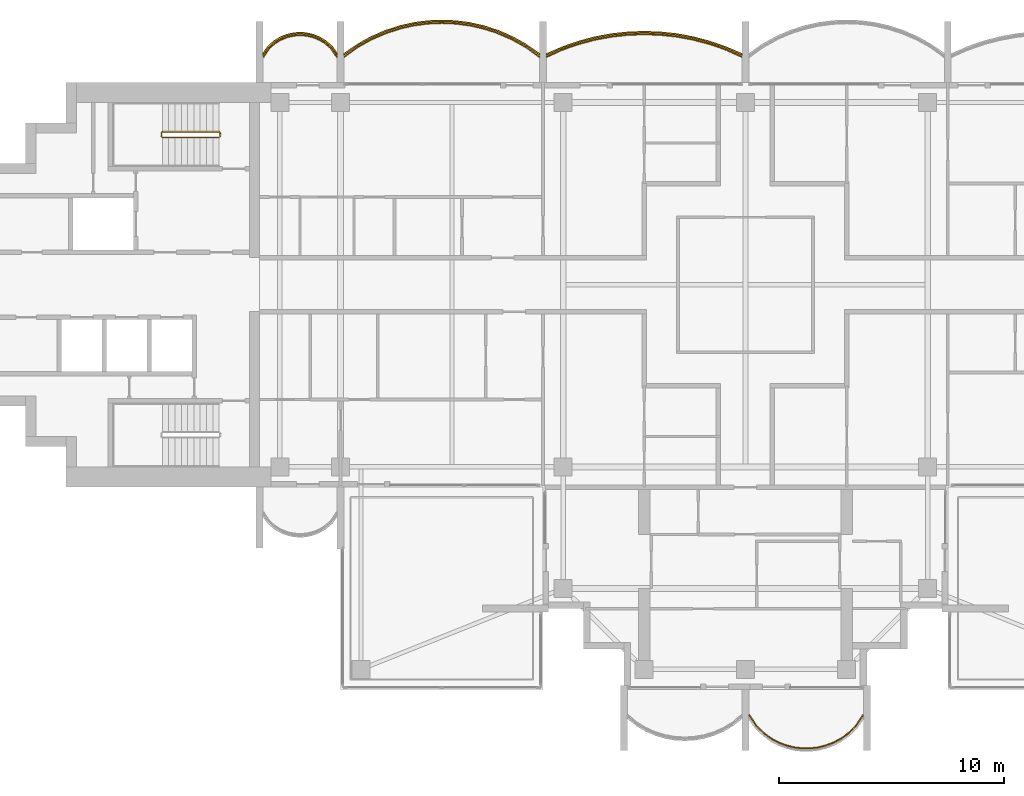
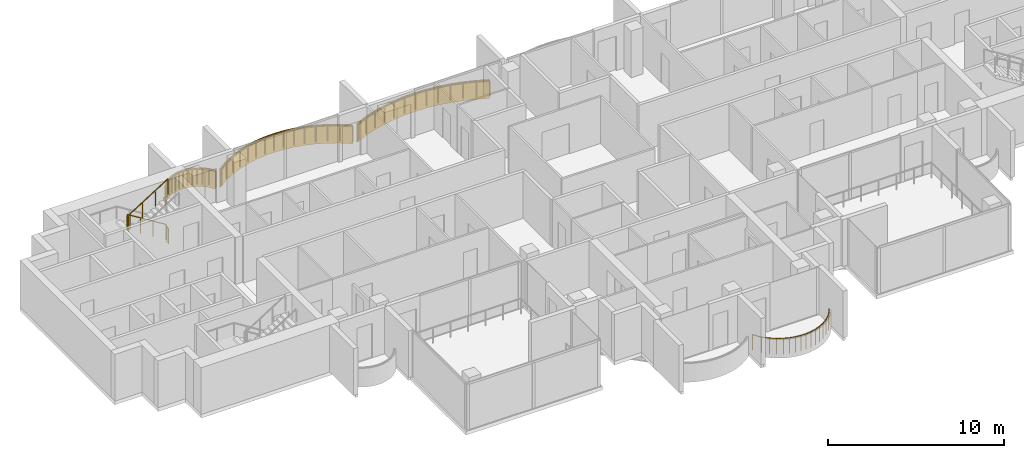
# One storey, part 14 of 16: 5 railings, 3 coverings.
"""IFC4 building model written with IfcOpenShell, lengths in metres."""

from ifc_helpers import new_model, si_unit, direction, frame, origin, origin_2d, place, context, subcontext, project, spatial, polyline, rectangle, outline, extrude, material, layer, layer_set, type_object, element, save


model = new_model("IFC4")

# Units and contexts
model_context = context("Model", 3, precision=1e-05, world=origin(), true_north=direction((0.0, 1.0)))
body_context = subcontext(model_context, "Body", "Model", "MODEL_VIEW")
ifc_project = project(units=[si_unit("LENGTHUNIT", "METRE"), si_unit("AREAUNIT", "SQUARE_METRE"), si_unit("VOLUMEUNIT", "CUBIC_METRE"), si_unit("PLANEANGLEUNIT", "RADIAN"), si_unit("MASSUNIT", "GRAM", prefix="KILO")], contexts=[model_context])

# Site, building, storey
site_placement = place(None, origin())
site = spatial("IfcSite", under=ifc_project, at=site_placement, CompositionType="ELEMENT")
building_placement = place(site_placement, origin())
building = spatial("IfcBuilding", under=site, at=building_placement, Name="Perihelion Cross Residences", CompositionType="ELEMENT")
storey_placement = place(building_placement, frame((0.0, 0.0, 243.0)))
storey = spatial("IfcBuildingStorey", under=building, at=storey_placement, Name="L61", CompositionType="ELEMENT", Elevation=243.0)

# Coverings
ifc_material_1 = material(Name="Bronze anodised aluminium", Category="aluminium")
ifc_layer = layer(ifc_material_1, 0.070068359375)
ifc_layer_set = layer_set([ifc_layer], Name="Balcony fascia 1300")
covering_type = type_object("IfcCoveringType", Name="Balcony fascia 1300", PredefinedType="CLADDING", material=ifc_layer_set)
covering_1_placement = place(storey_placement, frame((0.0, 0.0, -0.199951171875)))
element("IfcCovering", 1, at=covering_1_placement, inside=storey, type_object=covering_type, Name="Fascia BF1 L61 north side east bay 2", PredefinedType="CLADDING", context=body_context, shape_type="SweptSolid", body=[
    extrude(outline(polyline([(-0.849365234375, 10.582275390625), (-1.57958984375, 10.83544921875), (-2.309814453125, 11.028076171875), (-3.039794921875, 11.1630859375), (-3.77001953125, 11.243408203125), (-4.5, 11.27001953125), (-5.22998046875, 11.243408203125), (-5.960205078125, 11.1630859375), (-6.690185546875, 11.028076171875), (-7.42041015625, 10.83544921875), (-8.150634765625, 10.582275390625), (-8.85009765625, 10.2763671875), (-8.85009765625, 10.199951171875), (-8.125, 10.51708984375), (-7.39990234375, 10.7685546875), (-6.675048828125, 10.959716796875), (-5.949951171875, 11.093994140625), (-5.22509765625, 11.173583984375), (-4.5, 11.199951171875), (-3.77490234375, 11.173583984375), (-3.050048828125, 11.093994140625), (-2.324951171875, 10.959716796875), (-1.60009765625, 10.7685546875), (-0.875, 10.51708984375), (-0.14990234375, 10.199951171875), (-0.14990234375, 10.2763671875), (-0.849365234375, 10.582275390625)])), origin(), (0.0, 0.0, 1.0), 1.300048828125),
])
covering_2_placement = place(storey_placement, frame((0.0, 0.0, -0.199951171875)))
element("IfcCovering", 2, at=covering_2_placement, inside=storey, type_object=covering_type, Name="Fascia BF1 L61 west side north bay 1", PredefinedType="CLADDING", context=body_context, shape_type="SweptSolid", body=[
    extrude(outline(polyline([(-9.734375, 10.694091796875), (-10.362060546875, 11.0419921875), (-10.989501953125, 11.313232421875), (-11.6171875, 11.516845703125), (-12.244873046875, 11.65869140625), (-12.872314453125, 11.742431640625), (-13.5, 11.77001953125), (-14.127685546875, 11.742431640625), (-14.755126953125, 11.65869140625), (-15.3828125, 11.516845703125), (-16.010498046875, 11.313232421875), (-16.637939453125, 11.0419921875), (-17.265625, 10.694091796875), (-17.85009765625, 10.285400390625), (-17.85009765625, 10.199951171875), (-17.228515625, 10.634765625), (-16.607177734375, 10.979248046875), (-15.985595703125, 11.247802734375), (-15.3642578125, 11.44921875), (-14.742919921875, 11.589599609375), (-14.121337890625, 11.672607421875), (-13.5, 11.699951171875), (-12.878662109375, 11.672607421875), (-12.257080078125, 11.589599609375), (-11.6357421875, 11.44921875), (-11.014404296875, 11.247802734375), (-10.392822265625, 10.979248046875), (-9.771484375, 10.634765625), (-9.14990234375, 10.199951171875), (-9.14990234375, 10.285400390625), (-9.734375, 10.694091796875)])), origin(), (0.0, 0.0, 1.0), 1.300048828125),
])
covering_3_placement = place(storey_placement, frame((0.0, 0.0, -0.199951171875)))
element("IfcCovering", 3, at=covering_3_placement, inside=storey, type_object=covering_type, Name="Fascia BF1 L61 west side north bay 2", PredefinedType="CLADDING", context=body_context, shape_type="SweptSolid", body=[
    extrude(outline(polyline([(-18.373779296875, 10.616455078125), (-18.6591796875, 10.86328125), (-18.9443359375, 11.031494140625), (-19.229736328125, 11.142578125), (-19.514892578125, 11.206298828125), (-19.800048828125, 11.22705078125), (-20.085205078125, 11.206298828125), (-20.370361328125, 11.142578125), (-20.655517578125, 11.031494140625), (-20.94091796875, 10.86328125), (-21.226318359375, 10.616455078125), (-21.449951171875, 10.31689453125), (-21.449951171875, 10.199951171875), (-21.175048828125, 10.568603515625), (-20.89990234375, 10.806396484375), (-20.625, 10.96875), (-20.35009765625, 11.07568359375), (-20.074951171875, 11.136962890625), (-19.800048828125, 11.156982421875), (-19.52490234375, 11.136962890625), (-19.25, 11.07568359375), (-18.97509765625, 10.96875), (-18.699951171875, 10.806396484375), (-18.425048828125, 10.568603515625), (-18.14990234375, 10.199951171875), (-18.14990234375, 10.31689453125), (-18.373779296875, 10.616455078125)])), origin(), (0.0, 0.0, 1.0), 1.300048828125),
])

# Railings
ifc_material_2 = material(Name="Bronze anodised aluminium", Category="aluminium")
railing_type_1 = type_object("IfcRailingType", Name="Balcony guard 1100", PredefinedType="GUARDRAIL", material=ifc_material_2)
railing_1_placement = place(storey_placement, frame((-0.175048828125, 10.139892578125, 0.0)))
element("IfcRailing", 4, at=railing_1_placement, inside=storey, type_object=railing_type_1, Name="Guard GU1 L61 north side east bay 2 balcony", PredefinedType="GUARDRAIL", context=body_context, shape_type="SweptSolid", body=[
    extrude(rectangle(XDim=0.048095703125, YDim=0.048095703125, at=origin_2d()), frame((0.0, 0.0, 1.076171875), z_axis=(-0.910866309087, 0.412701547089, 0.0), x_axis=(-0.412701547089, -0.910866309087, 0.0)), (0.0, 0.0, 1.0), 0.7685546875),
    extrude(rectangle(XDim=0.048095703125, YDim=0.048095703125, at=origin_2d()), frame((-0.699951171875, 0.317138671875, 1.076171875), z_axis=(-0.944796812452, 0.327656807012, 0.0), x_axis=(-0.327656807012, -0.944796812452, 0.0)), (0.0, 0.0, 1.0), 0.767578125),
    extrude(rectangle(XDim=0.048095703125, YDim=0.048095703125, at=origin_2d()), frame((-1.425048828125, 0.568603515625, 1.076171875), z_axis=(-0.966939404945, 0.255006249266, 0.0), x_axis=(-0.255006249266, -0.966939404945, 0.0)), (0.0, 0.0, 1.0), 0.749755859375),
    extrude(rectangle(XDim=0.048095703125, YDim=0.048095703125, at=origin_2d()), frame((-2.14990234375, 0.759765625, 1.076171875), z_axis=(-0.983282004984, 0.182089260182, 0.0), x_axis=(-0.182089260182, -0.983282004984, 0.0)), (0.0, 0.0, 1.0), 0.7373046875),
    extrude(rectangle(XDim=0.048095703125, YDim=0.048095703125, at=origin_2d()), frame((-2.875, 0.89404296875, 1.076171875), z_axis=(-0.994025805622, 0.109145305703, 0.0), x_axis=(-0.109145305703, -0.994025805622, 0.0)), (0.0, 0.0, 1.0), 0.729248046875),
    extrude(rectangle(XDim=0.048095703125, YDim=0.048095703125, at=origin_2d()), frame((-3.599853515625, 0.9736328125, 1.076171875), z_axis=(-0.999339497946, 0.036339618107, 0.0), x_axis=(-0.036339618107, -0.999339497946, 0.0)), (0.0, 0.0, 1.0), 0.7255859375),
    extrude(rectangle(XDim=0.048095703125, YDim=0.048095703125, at=origin_2d()), frame((-4.324951171875, 1.0, 1.076171875), z_axis=(-0.999339497946, -0.036339618107, 0.0), x_axis=(0.036339618107, -0.999339497946, 0.0)), (0.0, 0.0, 1.0), 0.7255859375),
    extrude(rectangle(XDim=0.048095703125, YDim=0.048095703125, at=origin_2d()), frame((-5.050048828125, 0.9736328125, 1.076171875), z_axis=(-0.994025805622, -0.109145305703, 0.0), x_axis=(0.109145305703, -0.994025805622, 0.0)), (0.0, 0.0, 1.0), 0.729248046875),
    extrude(rectangle(XDim=0.048095703125, YDim=0.048095703125, at=origin_2d()), frame((-5.77490234375, 0.89404296875, 1.076171875), z_axis=(-0.983282004984, -0.182089260182, 0.0), x_axis=(0.182089260182, -0.983282004984, 0.0)), (0.0, 0.0, 1.0), 0.7373046875),
    extrude(rectangle(XDim=0.048095703125, YDim=0.048095703125, at=origin_2d()), frame((-6.5, 0.759765625, 1.076171875), z_axis=(-0.966939404945, -0.255006249266, 0.0), x_axis=(0.255006249266, -0.966939404945, 0.0)), (0.0, 0.0, 1.0), 0.749755859375),
    extrude(rectangle(XDim=0.048095703125, YDim=0.048095703125, at=origin_2d()), frame((-7.224853515625, 0.568603515625, 1.076171875), z_axis=(-0.944796812452, -0.327656807012, 0.0), x_axis=(0.327656807012, -0.944796812452, 0.0)), (0.0, 0.0, 1.0), 0.767578125),
    extrude(rectangle(XDim=0.048095703125, YDim=0.048095703125, at=origin_2d()), frame((-7.949951171875, 0.317138671875, 1.076171875), z_axis=(-0.910866309087, -0.412701547089, 0.0), x_axis=(0.412701547089, -0.910866309087, 0.0)), (0.0, 0.0, 1.0), 0.7685546875),
    extrude(rectangle(XDim=0.0419921875, YDim=0.0419921875, at=origin_2d()), origin(), (0.0, 0.0, 1.0), 1.052001953125),
    extrude(rectangle(XDim=0.0419921875, YDim=0.0419921875, at=origin_2d()), frame((-0.699951171875, 0.317138671875, 0.0)), (0.0, 0.0, 1.0), 1.052001953125),
    extrude(rectangle(XDim=0.0419921875, YDim=0.0419921875, at=origin_2d()), frame((-1.425048828125, 0.568603515625, 0.0)), (0.0, 0.0, 1.0), 1.052001953125),
    extrude(rectangle(XDim=0.0419921875, YDim=0.0419921875, at=origin_2d()), frame((-2.14990234375, 0.759765625, 0.0)), (0.0, 0.0, 1.0), 1.052001953125),
    extrude(rectangle(XDim=0.0419921875, YDim=0.0419921875, at=origin_2d()), frame((-2.875, 0.89404296875, 0.0)), (0.0, 0.0, 1.0), 1.052001953125),
    extrude(rectangle(XDim=0.0419921875, YDim=0.0419921875, at=origin_2d()), frame((-3.599853515625, 0.9736328125, 0.0)), (0.0, 0.0, 1.0), 1.052001953125),
    extrude(rectangle(XDim=0.0419921875, YDim=0.0419921875, at=origin_2d()), frame((-4.324951171875, 1.0, 0.0)), (0.0, 0.0, 1.0), 1.052001953125),
    extrude(rectangle(XDim=0.0419921875, YDim=0.0419921875, at=origin_2d()), frame((-5.050048828125, 0.9736328125, 0.0)), (0.0, 0.0, 1.0), 1.052001953125),
    extrude(rectangle(XDim=0.0419921875, YDim=0.0419921875, at=origin_2d()), frame((-5.77490234375, 0.89404296875, 0.0)), (0.0, 0.0, 1.0), 1.052001953125),
    extrude(rectangle(XDim=0.0419921875, YDim=0.0419921875, at=origin_2d()), frame((-6.5, 0.759765625, 0.0)), (0.0, 0.0, 1.0), 1.052001953125),
    extrude(rectangle(XDim=0.0419921875, YDim=0.0419921875, at=origin_2d()), frame((-7.224853515625, 0.568603515625, 0.0)), (0.0, 0.0, 1.0), 1.052001953125),
    extrude(rectangle(XDim=0.0419921875, YDim=0.0419921875, at=origin_2d()), frame((-7.949951171875, 0.317138671875, 0.0)), (0.0, 0.0, 1.0), 1.052001953125),
    extrude(rectangle(XDim=0.0419921875, YDim=0.0419921875, at=origin_2d()), frame((-8.64990234375, 0.0, 0.0)), (0.0, 0.0, 1.0), 1.052001953125),
])
railing_2_placement = place(storey_placement, frame((-9.175048828125, 10.139892578125, 0.0)))
element("IfcRailing", 5, at=railing_2_placement, inside=storey, type_object=railing_type_1, Name="Guard GU1 L61 west side north bay 1 balcony", PredefinedType="GUARDRAIL", context=body_context, shape_type="SweptSolid", body=[
    extrude(rectangle(XDim=0.048095703125, YDim=0.048095703125, at=origin_2d()), frame((0.0, 0.0, 1.076171875), z_axis=(-0.808063294873, 0.589095672603, 0.0), x_axis=(-0.589095672603, -0.808063294873, 0.0)), (0.0, 0.0, 1.0), 0.738037109375),
    extrude(rectangle(XDim=0.048095703125, YDim=0.048095703125, at=origin_2d()), frame((-0.596435546875, 0.434814453125, 1.076171875), z_axis=(-0.874578399268, 0.484884134133, 0.0), x_axis=(-0.484884134133, -0.874578399268, 0.0)), (0.0, 0.0, 1.0), 0.71044921875),
    extrude(rectangle(XDim=0.048095703125, YDim=0.048095703125, at=origin_2d()), frame((-1.2177734375, 0.779296875, 1.076171875), z_axis=(-0.917984792895, 0.396615582162, 0.0), x_axis=(-0.396615582162, -0.917984792895, 0.0)), (0.0, 0.0, 1.0), 0.677001953125),
    extrude(rectangle(XDim=0.048095703125, YDim=0.048095703125, at=origin_2d()), frame((-1.83935546875, 1.0478515625, 1.076171875), z_axis=(-0.951157585372, 0.308705762482, 0.0), x_axis=(-0.308705762482, -0.951157585372, 0.0)), (0.0, 0.0, 1.0), 0.6533203125),
    extrude(rectangle(XDim=0.048095703125, YDim=0.048095703125, at=origin_2d()), frame((-2.460693359375, 1.24951171875, 1.076171875), z_axis=(-0.975414431917, 0.220378506229, 0.0), x_axis=(-0.220378506229, -0.975414431917, 0.0)), (0.0, 0.0, 1.0), 0.636962890625),
    extrude(rectangle(XDim=0.048095703125, YDim=0.048095703125, at=origin_2d()), frame((-3.08203125, 1.389892578125, 1.076171875), z_axis=(-0.991251686862, 0.131985201039, 0.0), x_axis=(-0.131985201039, -0.991251686862, 0.0)), (0.0, 0.0, 1.0), 0.626953125),
    extrude(rectangle(XDim=0.048095703125, YDim=0.048095703125, at=origin_2d()), frame((-3.70361328125, 1.47265625, 1.076171875), z_axis=(-0.999033058467, 0.04396530552, 0.0), x_axis=(-0.04396530552, -0.999033058467, 0.0)), (0.0, 0.0, 1.0), 0.621826171875),
    extrude(rectangle(XDim=0.048095703125, YDim=0.048095703125, at=origin_2d()), frame((-4.324951171875, 1.5, 1.076171875), z_axis=(-0.999033058467, -0.04396530552, 0.0), x_axis=(0.04396530552, -0.999033058467, 0.0)), (0.0, 0.0, 1.0), 0.621826171875),
    extrude(rectangle(XDim=0.048095703125, YDim=0.048095703125, at=origin_2d()), frame((-4.9462890625, 1.47265625, 1.076171875), z_axis=(-0.991251686862, -0.131985201039, 0.0), x_axis=(0.131985201039, -0.991251686862, 0.0)), (0.0, 0.0, 1.0), 0.626953125),
    extrude(rectangle(XDim=0.048095703125, YDim=0.048095703125, at=origin_2d()), frame((-5.56787109375, 1.389892578125, 1.076171875), z_axis=(-0.975414431917, -0.220378506229, 0.0), x_axis=(0.220378506229, -0.975414431917, 0.0)), (0.0, 0.0, 1.0), 0.636962890625),
    extrude(rectangle(XDim=0.048095703125, YDim=0.048095703125, at=origin_2d()), frame((-6.189208984375, 1.24951171875, 1.076171875), z_axis=(-0.951157585372, -0.308705762482, 0.0), x_axis=(0.308705762482, -0.951157585372, 0.0)), (0.0, 0.0, 1.0), 0.6533203125),
    extrude(rectangle(XDim=0.048095703125, YDim=0.048095703125, at=origin_2d()), frame((-6.810546875, 1.0478515625, 1.076171875), z_axis=(-0.917984792895, -0.396615582162, 0.0), x_axis=(0.396615582162, -0.917984792895, 0.0)), (0.0, 0.0, 1.0), 0.677001953125),
    extrude(rectangle(XDim=0.048095703125, YDim=0.048095703125, at=origin_2d()), frame((-7.43212890625, 0.779296875, 1.076171875), z_axis=(-0.874578399268, -0.484884134133, 0.0), x_axis=(0.484884134133, -0.874578399268, 0.0)), (0.0, 0.0, 1.0), 0.71044921875),
    extrude(rectangle(XDim=0.048095703125, YDim=0.048095703125, at=origin_2d()), frame((-8.053466796875, 0.434814453125, 1.076171875), z_axis=(-0.808063294873, -0.589095672603, 0.0), x_axis=(0.589095672603, -0.808063294873, 0.0)), (0.0, 0.0, 1.0), 0.738037109375),
    extrude(rectangle(XDim=0.0419921875, YDim=0.0419921875, at=origin_2d()), origin(), (0.0, 0.0, 1.0), 1.052001953125),
    extrude(rectangle(XDim=0.0419921875, YDim=0.0419921875, at=origin_2d()), frame((-0.596435546875, 0.434814453125, 0.0)), (0.0, 0.0, 1.0), 1.052001953125),
    extrude(rectangle(XDim=0.0419921875, YDim=0.0419921875, at=origin_2d()), frame((-1.2177734375, 0.779296875, 0.0)), (0.0, 0.0, 1.0), 1.052001953125),
    extrude(rectangle(XDim=0.0419921875, YDim=0.0419921875, at=origin_2d()), frame((-1.83935546875, 1.0478515625, 0.0)), (0.0, 0.0, 1.0), 1.052001953125),
    extrude(rectangle(XDim=0.0419921875, YDim=0.0419921875, at=origin_2d()), frame((-2.460693359375, 1.24951171875, 0.0)), (0.0, 0.0, 1.0), 1.052001953125),
    extrude(rectangle(XDim=0.0419921875, YDim=0.0419921875, at=origin_2d()), frame((-3.08203125, 1.389892578125, 0.0)), (0.0, 0.0, 1.0), 1.052001953125),
    extrude(rectangle(XDim=0.0419921875, YDim=0.0419921875, at=origin_2d()), frame((-3.70361328125, 1.47265625, 0.0)), (0.0, 0.0, 1.0), 1.052001953125),
    extrude(rectangle(XDim=0.0419921875, YDim=0.0419921875, at=origin_2d()), frame((-4.324951171875, 1.5, 0.0)), (0.0, 0.0, 1.0), 1.052001953125),
    extrude(rectangle(XDim=0.0419921875, YDim=0.0419921875, at=origin_2d()), frame((-4.9462890625, 1.47265625, 0.0)), (0.0, 0.0, 1.0), 1.052001953125),
    extrude(rectangle(XDim=0.0419921875, YDim=0.0419921875, at=origin_2d()), frame((-5.56787109375, 1.389892578125, 0.0)), (0.0, 0.0, 1.0), 1.052001953125),
    extrude(rectangle(XDim=0.0419921875, YDim=0.0419921875, at=origin_2d()), frame((-6.189208984375, 1.24951171875, 0.0)), (0.0, 0.0, 1.0), 1.052001953125),
    extrude(rectangle(XDim=0.0419921875, YDim=0.0419921875, at=origin_2d()), frame((-6.810546875, 1.0478515625, 0.0)), (0.0, 0.0, 1.0), 1.052001953125),
    extrude(rectangle(XDim=0.0419921875, YDim=0.0419921875, at=origin_2d()), frame((-7.43212890625, 0.779296875, 0.0)), (0.0, 0.0, 1.0), 1.052001953125),
    extrude(rectangle(XDim=0.0419921875, YDim=0.0419921875, at=origin_2d()), frame((-8.053466796875, 0.434814453125, 0.0)), (0.0, 0.0, 1.0), 1.052001953125),
    extrude(rectangle(XDim=0.0419921875, YDim=0.0419921875, at=origin_2d()), frame((-8.64990234375, 0.0, 0.0)), (0.0, 0.0, 1.0), 1.052001953125),
])
railing_3_placement = place(storey_placement, frame((-18.175048828125, 10.139892578125, 0.0)))
element("IfcRailing", 6, at=railing_3_placement, inside=storey, type_object=railing_type_1, Name="Guard GU1 L61 west side north bay 2 balcony", PredefinedType="GUARDRAIL", context=body_context, shape_type="SweptSolid", body=[
    extrude(rectangle(XDim=0.048095703125, YDim=0.048095703125, at=origin_2d()), frame((0.0, 0.0, 1.076171875), z_axis=(-0.561260132269, 0.827639452857, 0.0), x_axis=(-0.827639452857, -0.561260132269, 0.0)), (0.0, 0.0, 1.0), 0.4453125),
    extrude(rectangle(XDim=0.048095703125, YDim=0.048095703125, at=origin_2d()), frame((-0.25, 0.36865234375, 1.076171875), z_axis=(-0.756309278473, 0.654214242658, 0.0), x_axis=(-0.654214242658, -0.756309278473, 0.0)), (0.0, 0.0, 1.0), 0.363525390625),
    extrude(rectangle(XDim=0.048095703125, YDim=0.048095703125, at=origin_2d()), frame((-0.52490234375, 0.6064453125, 1.076171875), z_axis=(-0.861245845072, 0.508188542123, 0.0), x_axis=(-0.508188542123, -0.861245845072, 0.0)), (0.0, 0.0, 1.0), 0.319580078125),
    extrude(rectangle(XDim=0.048095703125, YDim=0.048095703125, at=origin_2d()), frame((-0.800048828125, 0.768798828125, 1.076171875), z_axis=(-0.931973602183, 0.362526143656, 0.0), x_axis=(-0.362526143656, -0.931973602183, 0.0)), (0.0, 0.0, 1.0), 0.294921875),
    extrude(rectangle(XDim=0.048095703125, YDim=0.048095703125, at=origin_2d()), frame((-1.074951171875, 0.875732421875, 1.076171875), z_axis=(-0.976044077717, 0.217572880557, 0.0), x_axis=(-0.217572880557, -0.976044077717, 0.0)), (0.0, 0.0, 1.0), 0.28173828125),
    extrude(rectangle(XDim=0.048095703125, YDim=0.048095703125, at=origin_2d()), frame((-1.349853515625, 0.93701171875, 1.076171875), z_axis=(-0.997363488337, 0.072567707226, 0.0), x_axis=(-0.072567707226, -0.997363488337, 0.0)), (0.0, 0.0, 1.0), 0.27587890625),
    extrude(rectangle(XDim=0.048095703125, YDim=0.048095703125, at=origin_2d()), frame((-1.625, 0.95703125, 1.076171875), z_axis=(-0.997358821833, -0.072631814734, 0.0), x_axis=(0.072631814734, -0.997358821833, 0.0)), (0.0, 0.0, 1.0), 0.275634765625),
    extrude(rectangle(XDim=0.048095703125, YDim=0.048095703125, at=origin_2d()), frame((-1.89990234375, 0.93701171875, 1.076171875), z_axis=(-0.976085059389, -0.21738895289, 0.0), x_axis=(0.21738895289, -0.976085059389, 0.0)), (0.0, 0.0, 1.0), 0.281982421875),
    extrude(rectangle(XDim=0.048095703125, YDim=0.048095703125, at=origin_2d()), frame((-2.175048828125, 0.875732421875, 1.076171875), z_axis=(-0.931973602183, -0.362526143656, 0.0), x_axis=(0.362526143656, -0.931973602183, 0.0)), (0.0, 0.0, 1.0), 0.294921875),
    extrude(rectangle(XDim=0.048095703125, YDim=0.048095703125, at=origin_2d()), frame((-2.449951171875, 0.768798828125, 1.076171875), z_axis=(-0.861048292884, -0.508523192511, 0.0), x_axis=(0.508523192511, -0.861048292884, 0.0)), (0.0, 0.0, 1.0), 0.3193359375),
    extrude(rectangle(XDim=0.048095703125, YDim=0.048095703125, at=origin_2d()), frame((-2.724853515625, 0.6064453125, 1.076171875), z_axis=(-0.756596535164, -0.653882009982, 0.0), x_axis=(0.653882009982, -0.756596535164, 0.0)), (0.0, 0.0, 1.0), 0.36376953125),
    extrude(rectangle(XDim=0.048095703125, YDim=0.048095703125, at=origin_2d()), frame((-3.0, 0.36865234375, 1.076171875), z_axis=(-0.561260132269, -0.827639452857, 0.0), x_axis=(0.827639452857, -0.561260132269, 0.0)), (0.0, 0.0, 1.0), 0.4453125),
    extrude(rectangle(XDim=0.0419921875, YDim=0.0419921875, at=origin_2d()), origin(), (0.0, 0.0, 1.0), 1.052001953125),
    extrude(rectangle(XDim=0.0419921875, YDim=0.0419921875, at=origin_2d()), frame((-0.25, 0.36865234375, 0.0)), (0.0, 0.0, 1.0), 1.052001953125),
    extrude(rectangle(XDim=0.0419921875, YDim=0.0419921875, at=origin_2d()), frame((-0.52490234375, 0.6064453125, 0.0)), (0.0, 0.0, 1.0), 1.052001953125),
    extrude(rectangle(XDim=0.0419921875, YDim=0.0419921875, at=origin_2d()), frame((-0.800048828125, 0.768798828125, 0.0)), (0.0, 0.0, 1.0), 1.052001953125),
    extrude(rectangle(XDim=0.0419921875, YDim=0.0419921875, at=origin_2d()), frame((-1.074951171875, 0.875732421875, 0.0)), (0.0, 0.0, 1.0), 1.052001953125),
    extrude(rectangle(XDim=0.0419921875, YDim=0.0419921875, at=origin_2d()), frame((-1.349853515625, 0.93701171875, 0.0)), (0.0, 0.0, 1.0), 1.052001953125),
    extrude(rectangle(XDim=0.0419921875, YDim=0.0419921875, at=origin_2d()), frame((-1.625, 0.95703125, 0.0)), (0.0, 0.0, 1.0), 1.052001953125),
    extrude(rectangle(XDim=0.0419921875, YDim=0.0419921875, at=origin_2d()), frame((-1.89990234375, 0.93701171875, 0.0)), (0.0, 0.0, 1.0), 1.052001953125),
    extrude(rectangle(XDim=0.0419921875, YDim=0.0419921875, at=origin_2d()), frame((-2.175048828125, 0.875732421875, 0.0)), (0.0, 0.0, 1.0), 1.052001953125),
    extrude(rectangle(XDim=0.0419921875, YDim=0.0419921875, at=origin_2d()), frame((-2.449951171875, 0.768798828125, 0.0)), (0.0, 0.0, 1.0), 1.052001953125),
    extrude(rectangle(XDim=0.0419921875, YDim=0.0419921875, at=origin_2d()), frame((-2.724853515625, 0.6064453125, 0.0)), (0.0, 0.0, 1.0), 1.052001953125),
    extrude(rectangle(XDim=0.0419921875, YDim=0.0419921875, at=origin_2d()), frame((-3.0, 0.36865234375, 0.0)), (0.0, 0.0, 1.0), 1.052001953125),
    extrude(rectangle(XDim=0.0419921875, YDim=0.0419921875, at=origin_2d()), frame((-3.25, 0.0, 0.0)), (0.0, 0.0, 1.0), 1.052001953125),
])
railing_4_placement = place(storey_placement, frame((0.175048828125, -19.139892578125, 0.0)))
element("IfcRailing", 7, at=railing_4_placement, inside=storey, type_object=railing_type_1, Name="Guard GU1 L61 south tip south bay 2 balcony", PredefinedType="GUARDRAIL", context=body_context, shape_type="SweptSolid", body=[
    extrude(rectangle(XDim=0.048095703125, YDim=0.048095703125, at=origin_2d()), frame((0.0, 0.0, 1.076171875), z_axis=(0.551145731138, -0.834409002258, 0.0), x_axis=(0.834409002258, 0.551145731138, 0.0)), (0.0, 0.0, 1.0), 0.571533203125),
    extrude(rectangle(XDim=0.048095703125, YDim=0.048095703125, at=origin_2d()), frame((0.31494140625, -0.476806640625, 1.076171875), z_axis=(0.717330852669, -0.69673269466, 0.0), x_axis=(0.69673269466, 0.717330852669, 0.0)), (0.0, 0.0, 1.0), 0.47412109375),
    extrude(rectangle(XDim=0.048095703125, YDim=0.048095703125, at=origin_2d()), frame((0.655029296875, -0.80712890625, 1.076171875), z_axis=(0.814365457194, -0.580352394782, 0.0), x_axis=(0.580352394782, 0.814365457194, 0.0)), (0.0, 0.0, 1.0), 0.417236328125),
    extrude(rectangle(XDim=0.048095703125, YDim=0.048095703125, at=origin_2d()), frame((0.994873046875, -1.04931640625, 1.076171875), z_axis=(0.886005761733, -0.463674228502, 0.0), x_axis=(0.463674228502, 0.886005761733, 0.0)), (0.0, 0.0, 1.0), 0.3837890625),
    extrude(rectangle(XDim=0.048095703125, YDim=0.048095703125, at=origin_2d()), frame((1.3349609375, -1.227294921875, 1.076171875), z_axis=(0.93751311099, -0.347949948587, 0.0), x_axis=(0.347949948587, 0.93751311099, 0.0)), (0.0, 0.0, 1.0), 0.36279296875),
    extrude(rectangle(XDim=0.048095703125, YDim=0.048095703125, at=origin_2d()), frame((1.675048828125, -1.353515625, 1.076171875), z_axis=(0.972716168284, -0.231998396458, 0.0), x_axis=(0.231998396458, 0.972716168284, 0.0)), (0.0, 0.0, 1.0), 0.349365234375),
    extrude(rectangle(XDim=0.048095703125, YDim=0.048095703125, at=origin_2d()), frame((2.014892578125, -1.4345703125, 1.076171875), z_axis=(0.993305477634, -0.11551721994, 0.0), x_axis=(0.11551721994, 0.993305477634, 0.0)), (0.0, 0.0, 1.0), 0.34228515625),
    extrude(rectangle(XDim=0.048095703125, YDim=0.048095703125, at=origin_2d()), frame((2.35498046875, -1.47412109375, 1.076171875), z_axis=(1.0, 0.0, 0.0), x_axis=(0.0, 1.0, 0.0)), (0.0, 0.0, 1.0), 0.340087890625),
    extrude(rectangle(XDim=0.048095703125, YDim=0.048095703125, at=origin_2d()), frame((2.695068359375, -1.47412109375, 1.076171875), z_axis=(0.993295952156, 0.11559909788, 0.0), x_axis=(-0.11559909788, 0.993295952156, 0.0)), (0.0, 0.0, 1.0), 0.342041015625),
    extrude(rectangle(XDim=0.048095703125, YDim=0.048095703125, at=origin_2d()), frame((3.034912109375, -1.4345703125, 1.076171875), z_axis=(0.972753741142, 0.231840805498, 0.0), x_axis=(-0.231840805498, 0.972753741142, 0.0)), (0.0, 0.0, 1.0), 0.349609375),
    extrude(rectangle(XDim=0.048095703125, YDim=0.048095703125, at=origin_2d()), frame((3.375, -1.353515625, 1.076171875), z_axis=(0.937431552165, 0.348169621027, 0.0), x_axis=(-0.348169621027, 0.937431552165, 0.0)), (0.0, 0.0, 1.0), 0.362548828125),
    extrude(rectangle(XDim=0.048095703125, YDim=0.048095703125, at=origin_2d()), frame((3.71484375, -1.227294921875, 1.076171875), z_axis=(0.886005761733, 0.463674228502, 0.0), x_axis=(-0.463674228502, 0.886005761733, 0.0)), (0.0, 0.0, 1.0), 0.3837890625),
    extrude(rectangle(XDim=0.048095703125, YDim=0.048095703125, at=origin_2d()), frame((4.054931640625, -1.04931640625, 1.076171875), z_axis=(0.814562360662, 0.580075995532, 0.0), x_axis=(-0.580075995532, 0.814562360662, 0.0)), (0.0, 0.0, 1.0), 0.41748046875),
    extrude(rectangle(XDim=0.048095703125, YDim=0.048095703125, at=origin_2d()), frame((4.39501953125, -0.80712890625, 1.076171875), z_axis=(0.717080736691, 0.696990112603, 0.0), x_axis=(-0.696990112603, 0.717080736691, 0.0)), (0.0, 0.0, 1.0), 0.473876953125),
    extrude(rectangle(XDim=0.048095703125, YDim=0.048095703125, at=origin_2d()), frame((4.73486328125, -0.476806640625, 1.076171875), z_axis=(0.55144309028, 0.834212513801, 0.0), x_axis=(-0.834212513801, 0.55144309028, 0.0)), (0.0, 0.0, 1.0), 0.571533203125),
    extrude(rectangle(XDim=0.0419921875, YDim=0.0419921875, at=origin_2d()), origin(), (0.0, 0.0, 1.0), 1.052001953125),
    extrude(rectangle(XDim=0.0419921875, YDim=0.0419921875, at=origin_2d()), frame((0.31494140625, -0.476806640625, 0.0)), (0.0, 0.0, 1.0), 1.052001953125),
    extrude(rectangle(XDim=0.0419921875, YDim=0.0419921875, at=origin_2d()), frame((0.655029296875, -0.80712890625, 0.0)), (0.0, 0.0, 1.0), 1.052001953125),
    extrude(rectangle(XDim=0.0419921875, YDim=0.0419921875, at=origin_2d()), frame((0.994873046875, -1.04931640625, 0.0)), (0.0, 0.0, 1.0), 1.052001953125),
    extrude(rectangle(XDim=0.0419921875, YDim=0.0419921875, at=origin_2d()), frame((1.3349609375, -1.227294921875, 0.0)), (0.0, 0.0, 1.0), 1.052001953125),
    extrude(rectangle(XDim=0.0419921875, YDim=0.0419921875, at=origin_2d()), frame((1.675048828125, -1.353515625, 0.0)), (0.0, 0.0, 1.0), 1.052001953125),
    extrude(rectangle(XDim=0.0419921875, YDim=0.0419921875, at=origin_2d()), frame((2.014892578125, -1.4345703125, 0.0)), (0.0, 0.0, 1.0), 1.052001953125),
    extrude(rectangle(XDim=0.0419921875, YDim=0.0419921875, at=origin_2d()), frame((2.35498046875, -1.47412109375, 0.0)), (0.0, 0.0, 1.0), 1.052001953125),
    extrude(rectangle(XDim=0.0419921875, YDim=0.0419921875, at=origin_2d()), frame((2.695068359375, -1.47412109375, 0.0)), (0.0, 0.0, 1.0), 1.052001953125),
    extrude(rectangle(XDim=0.0419921875, YDim=0.0419921875, at=origin_2d()), frame((3.034912109375, -1.4345703125, 0.0)), (0.0, 0.0, 1.0), 1.052001953125),
    extrude(rectangle(XDim=0.0419921875, YDim=0.0419921875, at=origin_2d()), frame((3.375, -1.353515625, 0.0)), (0.0, 0.0, 1.0), 1.052001953125),
    extrude(rectangle(XDim=0.0419921875, YDim=0.0419921875, at=origin_2d()), frame((3.71484375, -1.227294921875, 0.0)), (0.0, 0.0, 1.0), 1.052001953125),
    extrude(rectangle(XDim=0.0419921875, YDim=0.0419921875, at=origin_2d()), frame((4.054931640625, -1.04931640625, 0.0)), (0.0, 0.0, 1.0), 1.052001953125),
    extrude(rectangle(XDim=0.0419921875, YDim=0.0419921875, at=origin_2d()), frame((4.39501953125, -0.80712890625, 0.0)), (0.0, 0.0, 1.0), 1.052001953125),
    extrude(rectangle(XDim=0.0419921875, YDim=0.0419921875, at=origin_2d()), frame((4.73486328125, -0.476806640625, 0.0)), (0.0, 0.0, 1.0), 1.052001953125),
    extrude(rectangle(XDim=0.0419921875, YDim=0.0419921875, at=origin_2d()), frame((5.050048828125, 0.0, 0.0)), (0.0, 0.0, 1.0), 1.052001953125),
])
ifc_material_3 = material(Name="Stainless steel", Category="steel")
railing_type_2 = type_object("IfcRailingType", Name="Stair guard 1100", PredefinedType="GUARDRAIL", material=ifc_material_3)
railing_5_placement = place(storey_placement, frame((-23.35009765625, 6.60009765625, 0.0)))
element("IfcRailing", 8, at=railing_5_placement, inside=storey, type_object=railing_type_2, Name="L61 ST-W1 stair guard 1", PredefinedType="GUARDRAIL", context=body_context, shape_type="SweptSolid", body=[
    extrude(rectangle(XDim=0.048095703125, YDim=0.048095703125, at=origin_2d()), frame((0.0, 0.0, 1.076171875), z_axis=(0.0, 1.0, 0.0), x_axis=(-1.0, 0.0, 0.0)), (0.0, 0.0, 1.0), 0.14990234375),
    extrude(rectangle(XDim=0.048095703125, YDim=0.048095703125, at=origin_2d()), frame((0.0, 0.14990234375, 1.076171875), z_axis=(-0.263862480399, 0.265155923931, 0.927399011991), x_axis=(-0.708833529934, -0.705375805398, 0.0)), (0.0, 0.0, 1.0), 0.188720703125),
    extrude(rectangle(XDim=0.048095703125, YDim=0.048095703125, at=origin_2d()), frame((-0.0498046875, 0.199951171875, 1.2509765625), z_axis=(-0.848007534815, 0.0, 0.529984170421), x_axis=(0.0, -1.0, 0.0)), (0.0, 0.0, 1.0), 2.9716796875),
    extrude(rectangle(XDim=0.048095703125, YDim=0.048095703125, at=origin_2d()), frame((-2.56982421875, 0.199951171875, 2.826171875), z_axis=(-0.707106781187, -0.707106781187, 0.0), x_axis=(0.707106781187, -0.707106781187, 0.0)), (0.0, 0.0, 1.0), 0.07080078125),
    extrude(rectangle(XDim=0.048095703125, YDim=0.048095703125, at=origin_2d()), frame((-2.619873046875, 0.14990234375, 2.826171875), z_axis=(0.0, -1.0, 0.0), x_axis=(1.0, 0.0, 0.0)), (0.0, 0.0, 1.0), 0.14990234375),
    extrude(rectangle(XDim=0.048095703125, YDim=0.048095703125, at=origin_2d()), frame((-2.619873046875, 0.0, 2.826171875), z_axis=(0.265065253269, -0.265065253269, 0.927081885822), x_axis=(0.707106781187, 0.707106781187, 0.0)), (0.0, 0.0, 1.0), 0.188720703125),
    extrude(rectangle(XDim=0.048095703125, YDim=0.048095703125, at=origin_2d()), frame((-2.56982421875, -0.050048828125, 3.0009765625), z_axis=(0.848007534815, 0.0, 0.529984170421), x_axis=(0.0, 1.0, 0.0)), (0.0, 0.0, 1.0), 2.9716796875),
    extrude(rectangle(XDim=0.0419921875, YDim=0.0419921875, at=origin_2d()), origin(), (0.0, 0.0, 1.0), 1.052001953125),
    extrude(rectangle(XDim=0.0419921875, YDim=0.0419921875, at=origin_2d()), frame((0.0, 0.14990234375, 0.0)), (0.0, 0.0, 1.0), 1.052001953125),
    extrude(rectangle(XDim=0.0419921875, YDim=0.0419921875, at=origin_2d()), frame((-0.0498046875, 0.199951171875, 0.175048828125)), (0.0, 0.0, 1.0), 1.052001953125),
    extrude(rectangle(XDim=0.0419921875, YDim=0.0419921875, at=origin_2d()), frame((-0.889892578125, 0.199951171875, 0.699951171875)), (0.0, 0.0, 1.0), 1.052001953125),
    extrude(rectangle(XDim=0.0419921875, YDim=0.0419921875, at=origin_2d()), frame((-1.729736328125, 0.199951171875, 1.22509765625)), (0.0, 0.0, 1.0), 1.052001953125),
    extrude(rectangle(XDim=0.0419921875, YDim=0.0419921875, at=origin_2d()), frame((-2.56982421875, 0.199951171875, 1.75)), (0.0, 0.0, 1.0), 1.052001953125),
    extrude(rectangle(XDim=0.0419921875, YDim=0.0419921875, at=origin_2d()), frame((-2.619873046875, 0.14990234375, 1.75)), (0.0, 0.0, 1.0), 1.052001953125),
    extrude(rectangle(XDim=0.0419921875, YDim=0.0419921875, at=origin_2d()), frame((-2.619873046875, 0.0, 1.75)), (0.0, 0.0, 1.0), 1.052001953125),
    extrude(rectangle(XDim=0.0419921875, YDim=0.0419921875, at=origin_2d()), frame((-2.56982421875, -0.050048828125, 1.925048828125)), (0.0, 0.0, 1.0), 1.052001953125),
    extrude(rectangle(XDim=0.0419921875, YDim=0.0419921875, at=origin_2d()), frame((-1.729736328125, -0.050048828125, 2.449951171875)), (0.0, 0.0, 1.0), 1.052001953125),
    extrude(rectangle(XDim=0.0419921875, YDim=0.0419921875, at=origin_2d()), frame((-0.889892578125, -0.050048828125, 2.97509765625)), (0.0, 0.0, 1.0), 1.052001953125),
    extrude(rectangle(XDim=0.0419921875, YDim=0.0419921875, at=origin_2d()), frame((-0.0498046875, -0.050048828125, 3.5)), (0.0, 0.0, 1.0), 1.052001953125),
])

save(model, "model.ifc")
